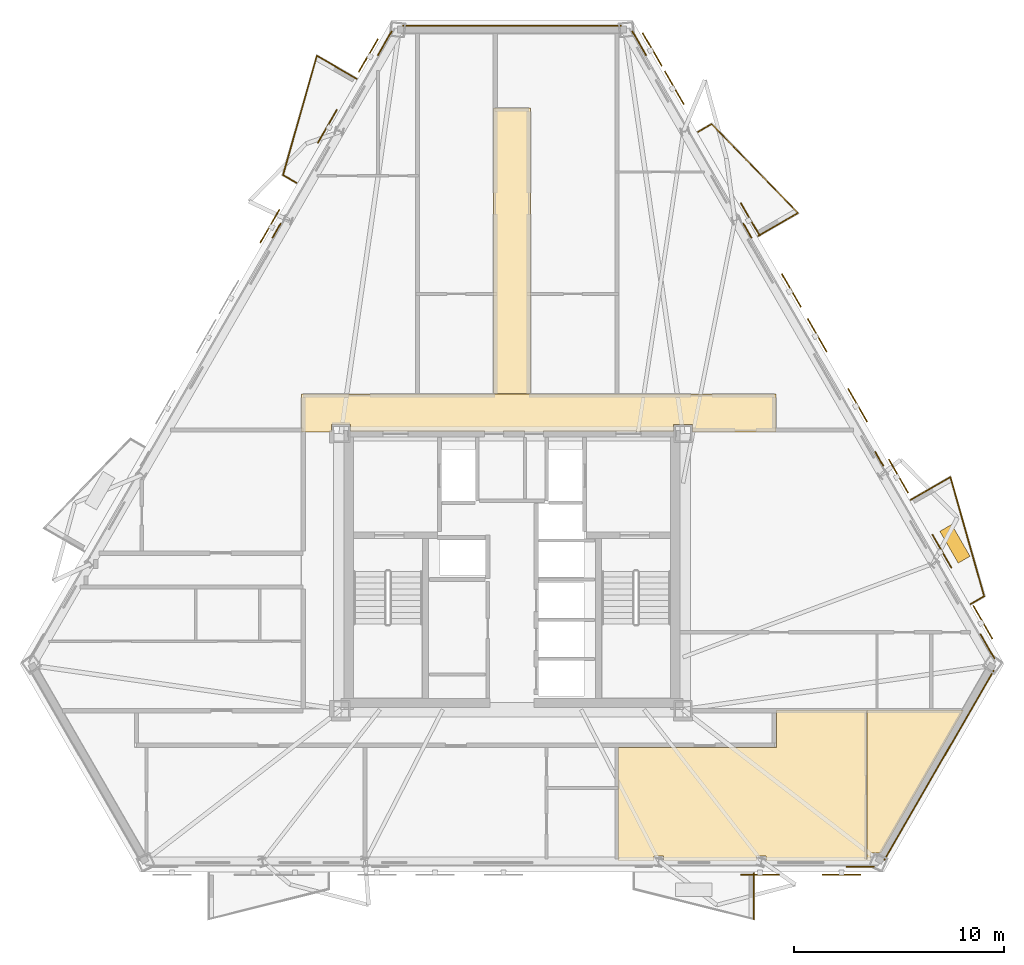
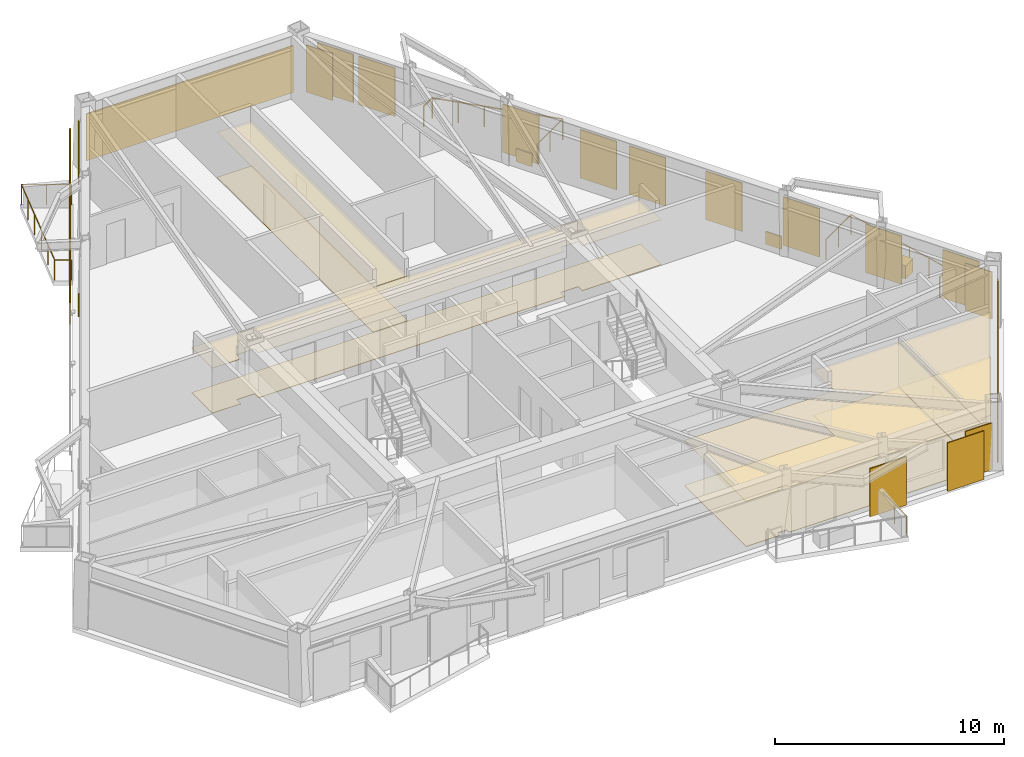
# One storey, part 9 of 9: 18 coverings, 14 shading devices, 10 railings.
"""IFC4 building model written with IfcOpenShell, lengths in metres."""

from ifc_helpers import new_model, si_unit, direction, frame, origin, origin_2d, place, context, subcontext, project, spatial, polyline, rectangle, circle, outline, extrude, material, layer, layer_set, type_object, element, save


model = new_model("IFC4")

# Units and contexts
model_context = context("Model", 3, precision=1e-05, world=origin(), true_north=direction((0.0, 1.0)))
body_context = subcontext(model_context, "Body", "Model", "MODEL_VIEW")
ifc_project = project(units=[si_unit("LENGTHUNIT", "METRE"), si_unit("AREAUNIT", "SQUARE_METRE"), si_unit("VOLUMEUNIT", "CUBIC_METRE"), si_unit("PLANEANGLEUNIT", "RADIAN"), si_unit("MASSUNIT", "GRAM", prefix="KILO")], contexts=[model_context])

# Site, building, storey
site_placement = place(None, origin())
site = spatial("IfcSite", under=ifc_project, at=site_placement, CompositionType="ELEMENT")
building_placement = place(site_placement, origin())
building = spatial("IfcBuilding", under=site, at=building_placement, Name="Oramaril Tower", CompositionType="ELEMENT")
storey_placement = place(building_placement, frame((0.0, 0.0, 119.39990234375)))
storey = spatial("IfcBuildingStorey", under=building, at=storey_placement, Name="L31", CompositionType="ELEMENT", Elevation=119.39990234375)

# Coverings
ifc_material_1 = material(Name="Mineral Fibre Acoustic Ceiling")
ifc_layer_1 = layer(ifc_material_1, 0.02001953125)
ifc_layer_set_1 = layer_set([ifc_layer_1], Name="CVT-CEIL")
covering_type_1 = type_object("IfcCoveringType", Name="CVT-CEIL", PredefinedType="CEILING", material=ifc_layer_set_1)
covering_1_placement = place(storey_placement, frame((0.0, 0.0, 2.400146484375)))
element("IfcCovering", 1, at=covering_1_placement, inside=storey, type_object=covering_type_1, Name="L31 Acoustic Suspended Ceiling 2", PredefinedType="CEILING", context=body_context, shape_type="SweptSolid", body=[
    extrude(outline(polyline([(50.080078125, 24.239990234375), (46.094970703125, 24.239990234375), (46.094970703125, 24.594970703125), (45.205078125, 24.594970703125), (45.205078125, 24.25), (29.794921875, 24.25), (29.794921875, 24.594970703125), (28.905029296875, 24.594970703125), (28.905029296875, 24.239990234375), (27.469970703125, 24.239990234375), (27.469970703125, 26.050048828125), (50.080078125, 26.050048828125), (50.080078125, 24.239990234375)])), origin(), (0.0, 0.0, 1.0), 0.02001953125),
])
covering_2_placement = place(storey_placement, frame((0.0, 0.0, 2.400146484375)))
element("IfcCovering", 2, at=covering_2_placement, inside=storey, type_object=covering_type_1, Name="L31 Acoustic Suspended Ceiling 4", PredefinedType="CEILING", context=body_context, shape_type="SweptSolid", body=[
    extrude(outline(polyline([(38.3798828125, 26.070068359375), (36.6201171875, 26.070068359375), (36.6201171875, 39.679931640625), (38.3798828125, 39.679931640625), (38.3798828125, 26.070068359375)])), origin(), (0.0, 0.0, 1.0), 0.02001953125),
])
covering_3_placement = place(storey_placement, frame((0.0, 0.0, 2.400146484375)))
element("IfcCovering", 3, at=covering_3_placement, inside=storey, type_object=covering_type_1, Name="L31 Acoustic Suspended Ceiling 11", PredefinedType="CEILING", context=body_context, shape_type="SweptSolid", body=[
    extrude(outline(polyline([(54.39013671875, 10.991943359375), (54.39013671875, 3.821044921875), (49.61474609375, 3.821044921875), (49.61474609375, 4.01904296875), (49.1435546875, 4.01904296875), (49.1435546875, 3.821044921875), (44.718017578125, 3.821044921875), (44.718017578125, 4.01904296875), (44.25732421875, 4.01904296875), (44.25732421875, 3.821044921875), (42.56201171875, 3.821044921875), (42.56201171875, 7.313720703125), (42.56201171875, 7.31591796875), (42.5615234375, 7.317626953125), (42.56103515625, 7.319580078125), (42.560546875, 7.321533203125), (42.5595703125, 7.3232421875), (42.559326171875, 7.32373046875), (42.5595703125, 7.324462890625), (42.560546875, 7.326171875), (42.56103515625, 7.327880859375), (42.5615234375, 7.329833984375), (42.56201171875, 7.331787109375), (42.56201171875, 7.333740234375), (42.56201171875, 9.199951171875), (50.080078125, 9.199951171875), (50.08203125, 9.2001953125), (50.083984375, 9.200439453125), (50.085693359375, 9.200927734375), (50.087646484375, 9.201416015625), (50.08935546875, 9.202392578125), (50.091064453125, 9.203369140625), (50.0927734375, 9.20458984375), (50.093994140625, 9.205810546875), (50.095458984375, 9.207275390625), (50.0966796875, 9.208984375), (50.09765625, 9.210693359375), (50.098388671875, 9.21240234375), (50.09912109375, 9.214111328125), (50.099609375, 9.216064453125), (50.099853515625, 9.218017578125), (50.10009765625, 9.219970703125), (50.10009765625, 10.991943359375), (54.39013671875, 10.991943359375)])), origin(), (0.0, 0.0, 1.0), 0.02001953125),
])
covering_4_placement = place(storey_placement, frame((0.0, 0.0, 2.400146484375)))
element("IfcCovering", 4, at=covering_4_placement, inside=storey, type_object=covering_type_1, Name="L31 Acoustic Suspended Ceiling 12", PredefinedType="CEILING", context=body_context, shape_type="SweptSolid", body=[
    extrude(outline(polyline([(54.580810546875, 4.166015625), (54.580810546875, 3.821044921875), (54.41015625, 3.821044921875), (54.41015625, 10.991943359375), (59.028564453125, 10.991943359375), (55.087646484375, 4.166015625), (54.580810546875, 4.166015625)])), origin(), (0.0, 0.0, 1.0), 0.02001953125),
])
ifc_material_2 = material(Name="Warm Cream Limestone", Category="masonry")
ifc_layer_2 = layer(ifc_material_2, 0.050048828125)
ifc_layer_set_2 = layer_set([ifc_layer_2], Name="CVT-CLD")
covering_type_2 = type_object("IfcCoveringType", Name="CVT-CLD", PredefinedType="CLADDING", material=ifc_layer_set_2)
covering_5_placement = place(storey_placement, frame((54.1005859375, 3.52001953125, 0.0400390625), z_axis=(0.0, 0.0, 1.0), x_axis=(1.0, 0.0, 0.0)))
element("IfcCovering", 5, at=covering_5_placement, inside=storey, type_object=covering_type_2, Name="L31 Warm Cream Limestone Cladding", PredefinedType="CLADDING", context=body_context, shape_type="SweptSolid", body=[
    extrude(rectangle(XDim=1.35009765625, YDim=0.050048828125, at=origin_2d()), origin(), (0.0, 0.0, 1.0), 2.498046875),
])
covering_6_placement = place(storey_placement, frame((57.850830078125, 8.350341796875, 0.0400390625), z_axis=(0.0, 0.0, 1.0), x_axis=(0.49999395399, 0.866028894422, 0.0)))
element("IfcCovering", 6, at=covering_6_placement, inside=storey, type_object=covering_type_2, Name="L31 Warm Cream Limestone Cladding", PredefinedType="CLADDING", context=body_context, shape_type="SweptSolid", body=[
    extrude(rectangle(XDim=10.432373046875, YDim=0.050048828125, at=origin_2d()), origin(), (0.0, 0.0, 1.0), 2.498046875),
])
for number, where, z_axis, x_axis, name in (
    (7, (60.158935546875, 14.01318359375, 0.0400390625), (0.0, 0.0, 1.0), (-0.5, 0.866025403784, 0.0), "L31 Warm Cream Limestone Cladding"),
    (8, (43.55810546875, 42.7666015625, 0.0400390625), (0.0, 0.0, 1.0), (-0.5, 0.866025403784, 0.0), "L31 Warm Cream Limestone Cladding"),
):
    element("IfcCovering", number, at=place(storey_placement, frame(where, z_axis=z_axis, x_axis=x_axis)), inside=storey, type_object=covering_type_2, Name=name, PredefinedType="CLADDING", context=body_context, shape_type="SweptSolid", body=[
        extrude(rectangle(XDim=1.35009765625, YDim=0.050048828125, at=origin_2d()), origin(), (0.0, 0.0, 1.0), 2.498046875),
    ])
for number, where, z_axis, x_axis, name in (
    (9, (54.999755859375, 22.949462890625, 0.0400390625), (0.0, 0.0, 1.0), (-0.5, 0.866025403784, 0.0), "L31 Warm Cream Limestone Spandrel Cladding"),
    (10, (48.717529296875, 33.83056640625, 0.0400390625), (0.0, 0.0, 1.0), (-0.5, 0.866025403784, 0.0), "L31 Warm Cream Limestone Spandrel Cladding"),
):
    element("IfcCovering", number, at=place(storey_placement, frame(where, z_axis=z_axis, x_axis=x_axis)), inside=storey, type_object=covering_type_2, Name=name, PredefinedType="CLADDING", context=body_context, shape_type="SweptSolid", body=[
        extrude(rectangle(XDim=0.800048828125, YDim=0.050048828125, at=origin_2d()), origin(), (0.0, 0.0, 1.0), 0.679931640625),
    ])
covering_7_placement = place(storey_placement, frame((37.5, 43.59912109375, 0.0400390625), z_axis=(0.0, 0.0, 1.0), x_axis=(-1.0, 0.0, 0.0)))
element("IfcCovering", 11, at=covering_7_placement, inside=storey, type_object=covering_type_2, Name="L31 Warm Cream Limestone Cladding", PredefinedType="CLADDING", context=body_context, shape_type="SweptSolid", body=[
    extrude(rectangle(XDim=10.43212890625, YDim=0.050048828125, at=origin_2d()), origin(), (0.0, 0.0, 1.0), 2.498046875),
])
covering_8_placement = place(storey_placement, frame((31.44189453125, 42.7666015625, 0.0400390625), z_axis=(0.0, 0.0, 1.0), x_axis=(-0.5, -0.866025403784, 0.0)))
element("IfcCovering", 12, at=covering_8_placement, inside=storey, type_object=covering_type_2, Name="L31 Warm Cream Limestone Cladding", PredefinedType="CLADDING", context=body_context, shape_type="SweptSolid", body=[
    extrude(rectangle(XDim=1.35009765625, YDim=0.050048828125, at=origin_2d()), origin(), (0.0, 0.0, 1.0), 2.498046875),
])
covering_9_placement = place(storey_placement, frame((26.282470703125, 33.83056640625, 0.0400390625), z_axis=(0.0, 0.0, 1.0), x_axis=(-0.5, -0.866025403784, 0.0)))
element("IfcCovering", 13, at=covering_9_placement, inside=storey, type_object=covering_type_2, Name="L31 Warm Cream Limestone Spandrel Cladding", PredefinedType="CLADDING", context=body_context, shape_type="SweptSolid", body=[
    extrude(rectangle(XDim=0.800048828125, YDim=0.050048828125, at=origin_2d()), origin(), (0.0, 0.0, 1.0), 0.679931640625),
])
covering_10_placement = place(storey_placement, frame((58.610107421875, 18.9033203125, 0.0), z_axis=(0.0, 0.0, 1.0), x_axis=(-0.5, 0.866025403784, 0.0)))
element("IfcCovering", 14, at=covering_10_placement, inside=storey, type_object=covering_type_2, Name="L31 Structural Tree Planter Box L31-BAL-NE1", PredefinedType="CLADDING", context=body_context, shape_type="SweptSolid", body=[
    extrude(rectangle(XDim=1.75, YDim=0.64990234375, at=origin_2d()), origin(), (0.0, 0.0, 1.0), 0.699951171875),
])
ifc_material_3 = material(Name="Honed Quartzite Stone Flooring", Category="masonry")
ifc_layer_3 = layer(ifc_material_3, 0.02490234375)
ifc_layer_set_3 = layer_set([ifc_layer_3], Name="CVT-FLR")
covering_type_3 = type_object("IfcCoveringType", Name="CVT-FLR", PredefinedType="FLOORING", material=ifc_layer_set_3)
covering_11_placement = place(storey_placement, origin())
element("IfcCovering", 15, at=covering_11_placement, inside=storey, type_object=covering_type_3, Name="L31 Honed Stone Floor Finish 2", PredefinedType="FLOORING", context=body_context, shape_type="SweptSolid", body=[
    extrude(outline(polyline([(50.080078125, 24.239990234375), (46.094970703125, 24.239990234375), (46.094970703125, 24.594970703125), (45.205078125, 24.594970703125), (45.205078125, 24.25), (29.794921875, 24.25), (29.794921875, 24.594970703125), (28.905029296875, 24.594970703125), (28.905029296875, 24.239990234375), (27.469970703125, 24.239990234375), (27.469970703125, 26.050048828125), (50.080078125, 26.050048828125), (50.080078125, 24.239990234375)])), origin(), (0.0, 0.0, 1.0), 0.025146484375),
])
covering_12_placement = place(storey_placement, origin())
element("IfcCovering", 16, at=covering_12_placement, inside=storey, type_object=covering_type_3, Name="L31 Honed Stone Floor Finish 4", PredefinedType="FLOORING", context=body_context, shape_type="SweptSolid", body=[
    extrude(outline(polyline([(38.3798828125, 26.070068359375), (36.6201171875, 26.070068359375), (36.6201171875, 39.679931640625), (38.3798828125, 39.679931640625), (38.3798828125, 26.070068359375)])), origin(), (0.0, 0.0, 1.0), 0.025146484375),
])
covering_13_placement = place(storey_placement, origin())
element("IfcCovering", 17, at=covering_13_placement, inside=storey, type_object=covering_type_3, Name="L31 Honed Stone Floor Finish 11", PredefinedType="FLOORING", context=body_context, shape_type="SweptSolid", body=[
    extrude(outline(polyline([(54.39013671875, 10.991943359375), (54.39013671875, 3.821044921875), (49.61474609375, 3.821044921875), (49.61474609375, 4.01904296875), (49.1435546875, 4.01904296875), (49.1435546875, 3.821044921875), (44.718017578125, 3.821044921875), (44.718017578125, 4.01904296875), (44.25732421875, 4.01904296875), (44.25732421875, 3.821044921875), (42.56201171875, 3.821044921875), (42.56201171875, 7.313720703125), (42.56201171875, 7.31591796875), (42.5615234375, 7.317626953125), (42.56103515625, 7.319580078125), (42.560546875, 7.321533203125), (42.5595703125, 7.3232421875), (42.559326171875, 7.32373046875), (42.5595703125, 7.324462890625), (42.560546875, 7.326171875), (42.56103515625, 7.327880859375), (42.5615234375, 7.329833984375), (42.56201171875, 7.331787109375), (42.56201171875, 7.333740234375), (42.56201171875, 9.199951171875), (50.080078125, 9.199951171875), (50.08203125, 9.2001953125), (50.083984375, 9.200439453125), (50.085693359375, 9.200927734375), (50.087646484375, 9.201416015625), (50.08935546875, 9.202392578125), (50.091064453125, 9.203369140625), (50.0927734375, 9.20458984375), (50.093994140625, 9.205810546875), (50.095458984375, 9.207275390625), (50.0966796875, 9.208984375), (50.09765625, 9.210693359375), (50.098388671875, 9.21240234375), (50.09912109375, 9.214111328125), (50.099609375, 9.216064453125), (50.099853515625, 9.218017578125), (50.10009765625, 9.219970703125), (50.10009765625, 10.991943359375), (54.39013671875, 10.991943359375)])), origin(), (0.0, 0.0, 1.0), 0.025146484375),
])
covering_14_placement = place(storey_placement, origin())
element("IfcCovering", 18, at=covering_14_placement, inside=storey, type_object=covering_type_3, Name="L31 Honed Stone Floor Finish 12", PredefinedType="FLOORING", context=body_context, shape_type="SweptSolid", body=[
    extrude(outline(polyline([(54.580810546875, 4.166015625), (54.580810546875, 3.821044921875), (54.41015625, 3.821044921875), (54.41015625, 10.991943359375), (59.028564453125, 10.991943359375), (55.087646484375, 4.166015625), (54.580810546875, 4.166015625)])), origin(), (0.0, 0.0, 1.0), 0.025146484375),
])

# Railings
ifc_material_4 = material(Name="Stainless Steel 316L", Category="steel")
railing_type = type_object("IfcRailingType", Name="RLT-GRD", PredefinedType="GUARDRAIL", material=ifc_material_4)
railing_1_placement = place(storey_placement, frame((49.03125, 3.205078125, 0.0)))
element("IfcRailing", 19, at=railing_1_placement, inside=storey, type_object=railing_type, Name="L31 Balcony Guardrail L31-BAL-S2.1", PredefinedType="GUARDRAIL", context=body_context, shape_type="SweptSolid", body=[
    extrude(circle(Radius=0.02392578125, at=origin_2d()), frame((0.0, 0.0, 1.076171875), z_axis=(0.0, -1.0, 0.0), x_axis=(1.0, 0.0, 0.0)), (0.0, 0.0, 1.0), 2.192138671875),
    extrude(circle(Radius=0.02099609375, at=origin_2d()), origin(), (0.0, 0.0, 1.0), 1.052001953125),
    extrude(circle(Radius=0.02099609375, at=origin_2d()), frame((0.0, -1.09619140625, 0.0)), (0.0, 0.0, 1.0), 1.052001953125),
    extrude(circle(Radius=0.02099609375, at=origin_2d()), frame((0.0, -2.192138671875, 0.0)), (0.0, 0.0, 1.0), 1.052001953125),
])
railing_2_placement = place(storey_placement, frame((56.49462890625, 20.990234375, 0.0)))
element("IfcRailing", 20, at=railing_2_placement, inside=storey, type_object=railing_type, Name="L31 Balcony Guardrail L31-BAL-NE1.1", PredefinedType="GUARDRAIL", context=body_context, shape_type="SweptSolid", body=[
    extrude(circle(Radius=0.02392578125, at=origin_2d()), frame((0.0, 0.0, 1.076171875), z_axis=(0.866020500697, 0.5000084923, 0.0), x_axis=(-0.5000084923, 0.866020500697, 0.0)), (0.0, 0.0, 1.0), 2.19189453125),
    extrude(circle(Radius=0.02099609375, at=origin_2d()), origin(), (0.0, 0.0, 1.0), 1.052001953125),
    extrude(circle(Radius=0.02099609375, at=origin_2d()), frame((0.94921875, 0.5478515625, 0.0)), (0.0, 0.0, 1.0), 1.052001953125),
    extrude(circle(Radius=0.02099609375, at=origin_2d()), frame((1.898193359375, 1.095947265625, 0.0)), (0.0, 0.0, 1.0), 1.052001953125),
])
railing_3_placement = place(storey_placement, frame((58.392822265625, 22.086181640625, 0.0)))
element("IfcRailing", 21, at=railing_3_placement, inside=storey, type_object=railing_type, Name="L31 Balcony Guardrail L31-BAL-NE1.2", PredefinedType="GUARDRAIL", context=body_context, shape_type="SweptSolid", body=[
    extrude(circle(Radius=0.02392578125, at=origin_2d()), frame((0.0, 0.0, 1.076171875), z_axis=(0.272287109361, -0.962216051662, 0.0), x_axis=(0.962216051662, 0.272287109361, 0.0)), (0.0, 0.0, 1.0), 5.91064453125),
    extrude(circle(Radius=0.02099609375, at=origin_2d()), origin(), (0.0, 0.0, 1.0), 1.052001953125),
    extrude(circle(Radius=0.02099609375, at=origin_2d()), frame((0.32177734375, -1.137451171875, 0.0)), (0.0, 0.0, 1.0), 1.052001953125),
    extrude(circle(Radius=0.02099609375, at=origin_2d()), frame((0.643798828125, -2.27490234375, 0.0)), (0.0, 0.0, 1.0), 1.052001953125),
    extrude(circle(Radius=0.02099609375, at=origin_2d()), frame((0.965576171875, -3.412353515625, 0.0)), (0.0, 0.0, 1.0), 1.052001953125),
    extrude(circle(Radius=0.02099609375, at=origin_2d()), frame((1.28759765625, -4.5498046875, 0.0)), (0.0, 0.0, 1.0), 1.052001953125),
    extrude(circle(Radius=0.02099609375, at=origin_2d()), frame((1.609375, -5.687255859375, 0.0)), (0.0, 0.0, 1.0), 1.052001953125),
])
railing_4_placement = place(storey_placement, frame((60.002197265625, 16.39892578125, 0.0)))
element("IfcRailing", 22, at=railing_4_placement, inside=storey, type_object=railing_type, Name="L31 Balcony Guardrail L31-BAL-NE1.3", PredefinedType="GUARDRAIL", context=body_context, shape_type="SweptSolid", body=[
    extrude(circle(Radius=0.02392578125, at=origin_2d()), frame((0.0, 0.0, 1.076171875), z_axis=(-0.866108878364, -0.499855389907, 0.0), x_axis=(0.499855389907, -0.866108878364, 0.0)), (0.0, 0.0, 1.0), 0.741943359375),
    extrude(circle(Radius=0.02099609375, at=origin_2d()), origin(), (0.0, 0.0, 1.0), 1.052001953125),
    extrude(circle(Radius=0.02099609375, at=origin_2d()), frame((-0.642578125, -0.370849609375, 0.0)), (0.0, 0.0, 1.0), 1.052001953125),
])
railing_5_placement = place(storey_placement, frame((46.36572265625, 38.53369140625, 0.0)))
element("IfcRailing", 23, at=railing_5_placement, inside=storey, type_object=railing_type, Name="L31 Balcony Guardrail L31-BAL-NE2.1", PredefinedType="GUARDRAIL", context=body_context, shape_type="SweptSolid", body=[
    extrude(circle(Radius=0.02392578125, at=origin_2d()), frame((0.0, 0.0, 1.076171875), z_axis=(0.865966403178, 0.500102178127, 0.0), x_axis=(-0.500102178127, 0.865966403178, 0.0)), (0.0, 0.0, 1.0), 0.741943359375),
    extrude(circle(Radius=0.02099609375, at=origin_2d()), origin(), (0.0, 0.0, 1.0), 1.052001953125),
    extrude(circle(Radius=0.02099609375, at=origin_2d()), frame((0.642578125, 0.37109375, 0.0)), (0.0, 0.0, 1.0), 1.052001953125),
])
railing_6_placement = place(storey_placement, frame((47.00830078125, 38.90478515625, 0.0)))
element("IfcRailing", 24, at=railing_6_placement, inside=storey, type_object=railing_type, Name="L31 Balcony Guardrail L31-BAL-NE2.2", PredefinedType="GUARDRAIL", context=body_context, shape_type="SweptSolid", body=[
    extrude(circle(Radius=0.02392578125, at=origin_2d()), frame((0.0, 0.0, 1.076171875), z_axis=(0.697186915353, -0.716889395277, 0.0), x_axis=(0.716889395277, 0.697186915353, 0.0)), (0.0, 0.0, 1.0), 5.91064453125),
    extrude(circle(Radius=0.02099609375, at=origin_2d()), origin(), (0.0, 0.0, 1.0), 1.052001953125),
    extrude(circle(Radius=0.02099609375, at=origin_2d()), frame((0.82421875, -0.847412109375, 0.0)), (0.0, 0.0, 1.0), 1.052001953125),
    extrude(circle(Radius=0.02099609375, at=origin_2d()), frame((1.6484375, -1.69482421875, 0.0)), (0.0, 0.0, 1.0), 1.052001953125),
    extrude(circle(Radius=0.02099609375, at=origin_2d()), frame((2.472412109375, -2.54248046875, 0.0)), (0.0, 0.0, 1.0), 1.052001953125),
    extrude(circle(Radius=0.02099609375, at=origin_2d()), frame((3.296630859375, -3.389892578125, 0.0)), (0.0, 0.0, 1.0), 1.052001953125),
    extrude(circle(Radius=0.02099609375, at=origin_2d()), frame((4.120849609375, -4.2373046875, 0.0)), (0.0, 0.0, 1.0), 1.052001953125),
])
railing_7_placement = place(storey_placement, frame((51.129150390625, 34.66748046875, 0.0)))
element("IfcRailing", 25, at=railing_7_placement, inside=storey, type_object=railing_type, Name="L31 Balcony Guardrail L31-BAL-NE2.3", PredefinedType="GUARDRAIL", context=body_context, shape_type="SweptSolid", body=[
    extrude(circle(Radius=0.02392578125, at=origin_2d()), frame((0.0, 0.0, 1.076171875), z_axis=(-0.866048343933, -0.499960264392, 0.0), x_axis=(0.499960264392, -0.866048343933, 0.0)), (0.0, 0.0, 1.0), 2.192138671875),
    extrude(circle(Radius=0.02099609375, at=origin_2d()), origin(), (0.0, 0.0, 1.0), 1.052001953125),
    extrude(circle(Radius=0.02099609375, at=origin_2d()), frame((-0.94921875, -0.5478515625, 0.0)), (0.0, 0.0, 1.0), 1.052001953125),
    extrude(circle(Radius=0.02099609375, at=origin_2d()), frame((-1.8984375, -1.095947265625, 0.0)), (0.0, 0.0, 1.0), 1.052001953125),
])
railing_8_placement = place(storey_placement, frame((27.231689453125, 36.104736328125, 0.0)))
element("IfcRailing", 26, at=railing_8_placement, inside=storey, type_object=railing_type, Name="L31 Balcony Guardrail L31-BAL-NW1.1", PredefinedType="GUARDRAIL", context=body_context, shape_type="SweptSolid", body=[
    extrude(circle(Radius=0.02392578125, at=origin_2d()), frame((0.0, 0.0, 1.076171875), z_axis=(-0.866108878364, 0.499855389907, 0.0), x_axis=(-0.499855389907, -0.866108878364, 0.0)), (0.0, 0.0, 1.0), 0.741943359375),
    extrude(circle(Radius=0.02099609375, at=origin_2d()), origin(), (0.0, 0.0, 1.0), 1.052001953125),
    extrude(circle(Radius=0.02099609375, at=origin_2d()), frame((-0.642578125, 0.370849609375, 0.0)), (0.0, 0.0, 1.0), 1.052001953125),
])
railing_9_placement = place(storey_placement, frame((26.589111328125, 36.4755859375, 0.0)))
element("IfcRailing", 27, at=railing_9_placement, inside=storey, type_object=railing_type, Name="L31 Balcony Guardrail L31-BAL-NW1.2", PredefinedType="GUARDRAIL", context=body_context, shape_type="SweptSolid", body=[
    extrude(circle(Radius=0.02392578125, at=origin_2d()), frame((0.0, 0.0, 1.076171875), z_axis=(0.272287109361, 0.962216051662, 0.0), x_axis=(-0.962216051662, 0.272287109361, 0.0)), (0.0, 0.0, 1.0), 5.91064453125),
    extrude(circle(Radius=0.02099609375, at=origin_2d()), origin(), (0.0, 0.0, 1.0), 1.052001953125),
    extrude(circle(Radius=0.02099609375, at=origin_2d()), frame((0.32177734375, 1.137451171875, 0.0)), (0.0, 0.0, 1.0), 1.052001953125),
    extrude(circle(Radius=0.02099609375, at=origin_2d()), frame((0.643798828125, 2.27490234375, 0.0)), (0.0, 0.0, 1.0), 1.052001953125),
    extrude(circle(Radius=0.02099609375, at=origin_2d()), frame((0.965576171875, 3.412353515625, 0.0)), (0.0, 0.0, 1.0), 1.052001953125),
    extrude(circle(Radius=0.02099609375, at=origin_2d()), frame((1.28759765625, 4.5498046875, 0.0)), (0.0, 0.0, 1.0), 1.052001953125),
    extrude(circle(Radius=0.02099609375, at=origin_2d()), frame((1.609375, 5.687255859375, 0.0)), (0.0, 0.0, 1.0), 1.052001953125),
])
railing_10_placement = place(storey_placement, frame((28.198486328125, 42.162841796875, 0.0)))
element("IfcRailing", 28, at=railing_10_placement, inside=storey, type_object=railing_type, Name="L31 Balcony Guardrail L31-BAL-NW1.3", PredefinedType="GUARDRAIL", context=body_context, shape_type="SweptSolid", body=[
    extrude(circle(Radius=0.02392578125, at=origin_2d()), frame((0.0, 0.0, 1.076171875), z_axis=(0.866020500697, -0.5000084923, 0.0), x_axis=(0.5000084923, 0.866020500697, 0.0)), (0.0, 0.0, 1.0), 2.19189453125),
    extrude(circle(Radius=0.02099609375, at=origin_2d()), origin(), (0.0, 0.0, 1.0), 1.052001953125),
    extrude(circle(Radius=0.02099609375, at=origin_2d()), frame((0.94921875, -0.5478515625, 0.0)), (0.0, 0.0, 1.0), 1.052001953125),
    extrude(circle(Radius=0.02099609375, at=origin_2d()), frame((1.898193359375, -1.095947265625, 0.0)), (0.0, 0.0, 1.0), 1.052001953125),
])

# Shading devices
for number, where, z_axis, x_axis, name in (
    (29, (49.3125, 3.133056640625, -0.02001953125), (0.0, 0.0, 1.0), (1.0, 0.0, 0.0), "L31 Perforated Ceramic Solar Screen"),
    (30, (53.21240234375, 3.133056640625, -0.02001953125), (0.0, 0.0, 1.0), (1.0, 0.0, 0.0), "L31 Perforated Ceramic Solar Screen"),
    (31, (59.939453125, 15.16748046875, -0.02001953125), (0.0, 0.0, 1.0), (-0.5, 0.866025403784, 0.0), "L31 Perforated Ceramic Solar Screen"),
    (32, (57.989501953125, 18.544921875, -0.02001953125), (0.0, 0.0, 1.0), (-0.5, 0.866025403784, 0.0), "L31 Perforated Ceramic Solar Screen"),
    (33, (55.921142578125, 22.12744140625, -0.02001953125), (0.0, 0.0, 1.0), (-0.5, 0.866025403784, 0.0), "L31 Perforated Ceramic Solar Screen"),
    (34, (53.97119140625, 25.5048828125, -0.02001953125), (0.0, 0.0, 1.0), (-0.5, 0.866025403784, 0.0), "L31 Perforated Ceramic Solar Screen"),
    (35, (45.234619140625, 40.636962890625, -0.02001953125), (0.0, 0.0, 1.0), (-0.5, 0.866025403784, 0.0), "L31 Perforated Ceramic Solar Screen"),
    (36, (52.04443359375, 28.841796875, -0.02001953125), (0.0, 0.0, 1.0), (-0.5, 0.866025403784, 0.0), "L31 Perforated Ceramic Solar Screen"),
    (37, (50.810791015625, 30.978759765625, -0.02001953125), (0.0, 0.0, 1.0), (-0.5, 0.866025403784, 0.0), "L31 Perforated Ceramic Solar Screen"),
    (38, (48.86083984375, 34.356201171875, -0.02001953125), (0.0, 0.0, 1.0), (-0.5, 0.866025403784, 0.0), "L31 Perforated Ceramic Solar Screen"),
    (39, (44.180908203125, 42.462158203125, -0.02001953125), (0.0, 0.0, 1.0), (-0.5, 0.866025403784, 0.0), "L31 Perforated Ceramic Solar Screen"),
    (40, (25.958984375, 34.044189453125, -0.02001953125), (0.0, 0.0, 1.0), (-0.5, -0.866025403784, 0.0), "L31 Perforated Ceramic Solar Screen"),
    (41, (30.65234375, 42.17333984375, -0.02001953125), (0.0, 0.0, 1.0), (-0.5, -0.866025403784, 0.0), "L31 Perforated Ceramic Solar Screen"),
    (42, (28.702392578125, 38.7958984375, -0.02001953125), (0.0, 0.0, 1.0), (-0.5, -0.866025403784, 0.0), "L31 Perforated Ceramic Solar Screen"),
):
    element("IfcShadingDevice", number, at=place(storey_placement, frame(where, z_axis=z_axis, x_axis=x_axis)), inside=storey, Name=name, ObjectType="SCREEN", PredefinedType="USERDEFINED", context=body_context, shape_type="SweptSolid", body=[
        extrude(rectangle(XDim=1.8330078125, YDim=0.050048828125, at=origin_2d()), origin(), (0.0, 0.0, 1.0), 2.577880859375),
    ])

save(model, "model.ifc")
